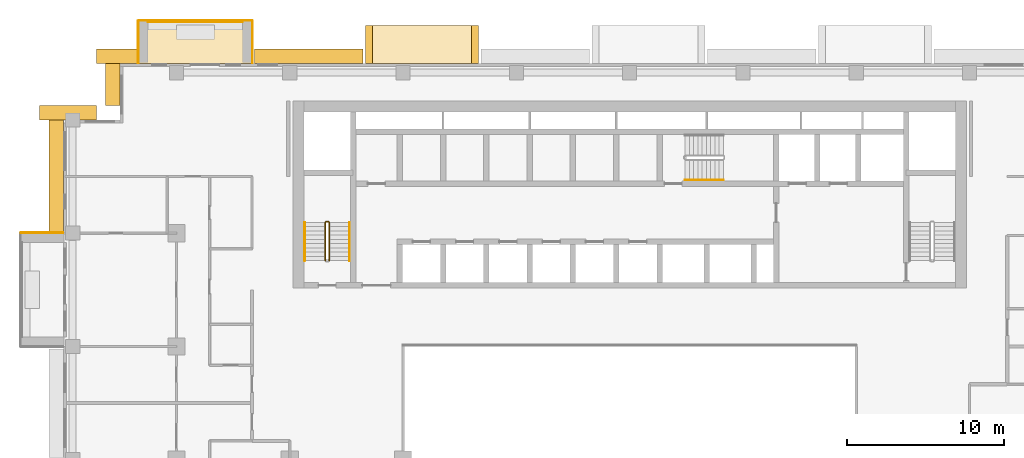
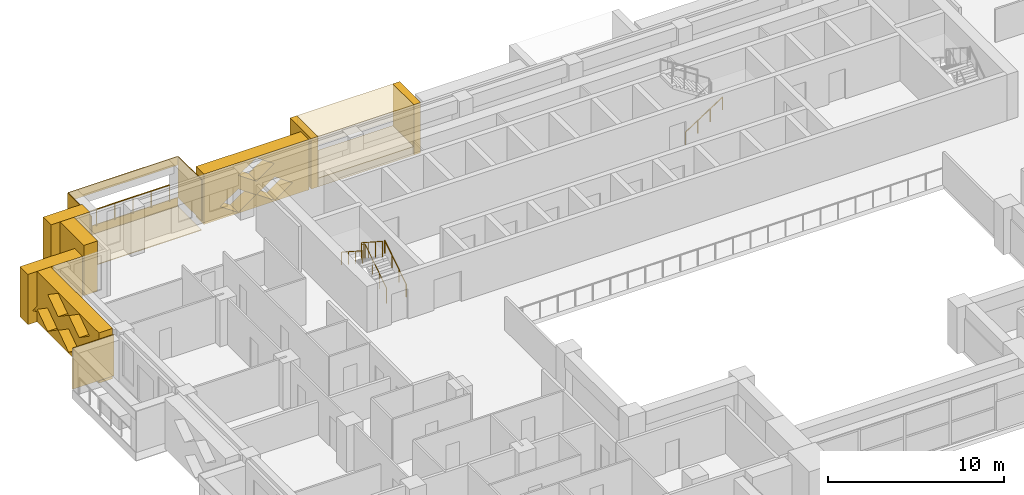
# One storey, part 18 of 20: 15 coverings, 5 railings.
"""IFC4 building model written with IfcOpenShell, lengths in metres."""

from ifc_helpers import new_model, si_unit, direction, frame, origin, origin_2d, place, context, subcontext, project, spatial, polyline, circle, outline, extrude, material, layer, layer_set, type_object, element, save


model = new_model("IFC4")

# Units and contexts
model_context = context("Model", 3, precision=1e-05, world=origin(), true_north=direction((0.0, 1.0)))
body_context = subcontext(model_context, "Body", "Model", "MODEL_VIEW")
ifc_project = project(units=[si_unit("LENGTHUNIT", "METRE"), si_unit("AREAUNIT", "SQUARE_METRE"), si_unit("VOLUMEUNIT", "CUBIC_METRE"), si_unit("PLANEANGLEUNIT", "RADIAN"), si_unit("MASSUNIT", "GRAM", prefix="KILO")], contexts=[model_context])

# Site, building, storey
site_placement = place(None, origin())
site = spatial("IfcSite", under=ifc_project, at=site_placement, CompositionType="ELEMENT")
building_placement = place(site_placement, origin())
building = spatial("IfcBuilding", under=site, at=building_placement, Name="Saffron Iwan Residences", CompositionType="ELEMENT")
storey_placement = place(building_placement, frame((0.0, 0.0, 130.5)))
storey = spatial("IfcBuildingStorey", under=building, at=storey_placement, Name="L34", CompositionType="ELEMENT", Elevation=130.5)

# Railing
ifc_material_1 = material(Name="Stainless steel 316", Category="steel")
railing_type_1 = type_object("IfcRailingType", Name="BALCONY GUARD 1150", PredefinedType="GUARDRAIL", material=ifc_material_1)
railing_1_placement = place(storey_placement, frame((25.800048828125, 83.02490234375, 0.0)))
element("IfcRailing", 1, at=railing_1_placement, inside=storey, type_object=railing_type_1, Name="Balcony guard L34 F5-3", PredefinedType="GUARDRAIL", context=body_context, shape_type="SweptSolid", body=[
    extrude(circle(Radius=0.02392578125, at=origin_2d()), frame((0.0, 0.0, 1.1259765625), z_axis=(-1.0, 0.0, 0.0), x_axis=(0.0, -1.0, 0.0)), (0.0, 0.0, 1.0), 6.0),
    extrude(circle(Radius=0.02099609375, at=origin_2d()), origin(), (0.0, 0.0, 1.0), 1.101806640625),
    extrude(circle(Radius=0.02099609375, at=origin_2d()), frame((-1.199951171875, 0.0, 0.0)), (0.0, 0.0, 1.0), 1.101806640625),
    extrude(circle(Radius=0.02099609375, at=origin_2d()), frame((-2.39990234375, 0.0, 0.0)), (0.0, 0.0, 1.0), 1.101806640625),
    extrude(circle(Radius=0.02099609375, at=origin_2d()), frame((-3.60009765625, 0.0, 0.0)), (0.0, 0.0, 1.0), 1.101806640625),
    extrude(circle(Radius=0.02099609375, at=origin_2d()), frame((-4.800048828125, 0.0, 0.0)), (0.0, 0.0, 1.0), 1.101806640625),
    extrude(circle(Radius=0.02099609375, at=origin_2d()), frame((-6.0, 0.0, 0.0)), (0.0, 0.0, 1.0), 1.101806640625),
])

# Coverings
ifc_material_2 = material(Name="Precast concrete C40/50 white painted", Category="concrete")
ifc_layer = layer(ifc_material_2, 0.050048828125)
ifc_layer_set = layer_set([ifc_layer], Name="Precast concrete C40/50 white painted")
covering_type_1 = type_object("IfcCoveringType", Name="FRAME SKIN PRECAST WHITE 50", PredefinedType="CLADDING", material=ifc_layer_set)
for number, where, name in (
    (2, (0.0, 0.0, -0.60009765625), "Frame skin slab edge L34 F5-3"),
    (3, (0.0, 0.0, 2.25), "Frame skin fascia L34 F5-3"),
):
    element("IfcCovering", number, at=place(storey_placement, frame(where)), inside=storey, type_object=covering_type_1, Name=name, PredefinedType="CLADDING", context=body_context, shape_type="SweptSolid", body=[
        extrude(outline(polyline([(26.39990234375, 83.14990234375), (19.199951171875, 83.14990234375), (19.199951171875, 83.10009765625), (26.39990234375, 83.10009765625), (26.39990234375, 83.14990234375)])), origin(), (0.0, 0.0, 1.0), 0.60009765625),
    ])
covering_1_placement = place(storey_placement, frame((0.0, 0.0, -0.64990234375)))
element("IfcCovering", 4, at=covering_1_placement, inside=storey, type_object=covering_type_1, Name="Frame skin soffit L34 F5-3", PredefinedType="CLADDING", context=body_context, shape_type="SweptSolid", body=[
    extrude(outline(polyline([(26.39990234375, 83.10009765625), (19.199951171875, 83.10009765625), (19.199951171875, 80.39990234375), (26.39990234375, 80.39990234375), (26.39990234375, 83.10009765625)])), origin(), (0.0, 0.0, 1.0), 0.0498046875),
])
covering_2_placement = place(storey_placement, origin())
element("IfcCovering", 5, at=covering_2_placement, inside=storey, type_object=covering_type_1, Name="Frame skin fin L34 F5-3a", PredefinedType="CLADDING", context=body_context, shape_type="SweptSolid", body=[
    extrude(outline(polyline([(26.449951171875, 83.10009765625), (26.39990234375, 83.10009765625), (26.39990234375, 80.39990234375), (26.449951171875, 80.39990234375), (26.449951171875, 83.10009765625)])), origin(), (0.0, 0.0, 1.0), 2.85009765625),
])
covering_3_placement = place(storey_placement, origin())
element("IfcCovering", 6, at=covering_3_placement, inside=storey, type_object=covering_type_1, Name="Frame skin fin L34 F5-3b", PredefinedType="CLADDING", context=body_context, shape_type="SweptSolid", body=[
    extrude(outline(polyline([(19.199951171875, 83.10009765625), (19.14990234375, 83.10009765625), (19.14990234375, 80.39990234375), (19.199951171875, 80.39990234375), (19.199951171875, 83.10009765625)])), origin(), (0.0, 0.0, 1.0), 2.85009765625),
])
covering_4_placement = place(storey_placement, origin())
element("IfcCovering", 7, at=covering_4_placement, inside=storey, type_object=covering_type_1, Name="Frame skin fin L34 F8-0a", PredefinedType="CLADDING", context=body_context, shape_type="SweptSolid", body=[
    extrude(outline(polyline([(11.699951171875, 69.64990234375), (11.699951171875, 69.60009765625), (14.39990234375, 69.60009765625), (14.39990234375, 69.64990234375), (11.699951171875, 69.64990234375)])), origin(), (0.0, 0.0, 1.0), 2.85009765625),
])
ifc_material_3 = material(Name="Precast concrete C40/50", Category="concrete")
covering_type_2 = type_object("IfcCoveringType", Name="OUTER SKIN LATTICE SCREEN", PredefinedType="CLADDING", material=ifc_material_3)
covering_5_placement = place(storey_placement, frame((33.449951171875, 80.39990234375, -0.300048828125), z_axis=(0.0, 1.0, 0.0), x_axis=(-1.0, 0.0, 0.0)))
element("IfcCovering", 8, at=covering_5_placement, inside=storey, type_object=covering_type_2, Name="OUTER SKIN lattice screen L34 F5.3", PredefinedType="CLADDING", context=body_context, shape_type="SweptSolid", body=[
    extrude(outline(polyline([(0.0, 0.0), (6.89990234375, 0.0), (6.89990234375, 3.5), (0.0, 3.5), (0.0, 0.0)]), holes=[polyline([(1.070068359375, 0.875), (2.25, 0.06005859375), (3.429931640625, 0.875), (2.25, 1.68994140625), (1.070068359375, 0.875)]), polyline([(3.469970703125, 0.875), (4.64990234375, 0.06005859375), (5.830078125, 0.875), (4.64990234375, 1.68994140625), (3.469970703125, 0.875)]), polyline([(2.27001953125, 2.625), (3.449951171875, 1.81005859375), (4.6298828125, 2.625), (3.449951171875, 3.43994140625), (2.27001953125, 2.625)])]), origin(), (0.0, 0.0, 1.0), 0.900146484375),
])
covering_6_placement = place(storey_placement, frame((19.050048828125, 80.39990234375, -0.300048828125), z_axis=(0.0, 1.0, 0.0), x_axis=(-1.0, 0.0, 0.0)))
element("IfcCovering", 9, at=covering_6_placement, inside=storey, type_object=covering_type_2, Name="OUTER SKIN lattice screen L34 F5.4", PredefinedType="CLADDING", context=body_context, shape_type="SweptSolid", body=[
    extrude(outline(polyline([(0.0, 0.0), (2.550048828125, 0.0), (2.550048828125, 3.5), (0.0, 3.5), (0.0, 0.0)])), origin(), (0.0, 0.0, 1.0), 0.900146484375),
])
for number, where, z_axis, x_axis, name in (
    (10, (18.0, 81.300048828125, -0.300048828125), (-1.0, 0.0, 0.0), (0.0, -1.0, 0.0), "OUTER SKIN lattice screen L34 F6.0"),
    (11, (16.5, 76.800048828125, -0.300048828125), (0.0, 1.0, 0.0), (-1.0, 0.0, 0.0), "OUTER SKIN lattice screen L34 F7.0"),
):
    element("IfcCovering", number, at=place(storey_placement, frame(where, z_axis=z_axis, x_axis=x_axis)), inside=storey, type_object=covering_type_2, Name=name, PredefinedType="CLADDING", context=body_context, shape_type="SweptSolid", body=[
        extrude(outline(polyline([(0.0, 0.0), (3.60009765625, 0.0), (3.60009765625, 3.5), (0.0, 3.5), (0.0, 0.0)]), holes=[polyline([(0.919921875, 0.875), (2.10009765625, 0.06005859375), (3.280029296875, 0.875), (2.10009765625, 1.68994140625), (0.919921875, 0.875)])]), origin(), (0.0, 0.0, 1.0), 0.89990234375),
    ])
covering_7_placement = place(storey_placement, frame((14.39990234375, 77.699951171875, -0.300048828125), z_axis=(-1.0, 0.0, 0.0), x_axis=(0.0, -1.0, 0.0)))
element("IfcCovering", 12, at=covering_7_placement, inside=storey, type_object=covering_type_2, Name="OUTER SKIN lattice screen L34 F8.0", PredefinedType="CLADDING", context=body_context, shape_type="SweptSolid", body=[
    extrude(outline(polyline([(0.0, 0.0), (7.949951171875, 0.0), (7.949951171875, 3.5), (0.0, 3.5), (0.0, 0.0)]), holes=[polyline([(0.919921875, 0.875), (2.10009765625, 0.06005859375), (3.280029296875, 0.875), (2.10009765625, 1.68994140625), (0.919921875, 0.875)]), polyline([(3.320068359375, 0.875), (4.5, 0.06005859375), (5.679931640625, 0.875), (4.5, 1.68994140625), (3.320068359375, 0.875)]), polyline([(2.1201171875, 2.625), (3.300048828125, 1.81005859375), (4.47998046875, 2.625), (3.300048828125, 3.43994140625), (2.1201171875, 2.625)]), polyline([(4.52001953125, 2.625), (5.699951171875, 1.81005859375), (6.8798828125, 2.625), (5.699951171875, 3.43994140625), (4.52001953125, 2.625)])]), origin(), (0.0, 0.0, 1.0), 0.89990234375),
])

# Railings
ifc_material_4 = material(Name="Steel S355", Category="steel")
railing_type_2 = type_object("IfcRailingType", Name="Stair guard 1100", PredefinedType="GUARDRAIL", material=ifc_material_4)
railing_2_placement = place(storey_placement, frame((31.300048828125, 67.85009765625, 0.175048828125)))
element("IfcRailing", 13, at=railing_2_placement, inside=storey, type_object=railing_type_2, Name="L34 ST-W stair guard 1", PredefinedType="GUARDRAIL", context=body_context, shape_type="SweptSolid", body=[
    extrude(circle(Radius=0.02392578125, at=origin_2d()), frame((0.0, 0.0, 1.076171875), z_axis=(0.0, 0.839153699163, 0.543894354798), x_axis=(-1.0, 0.0, 0.0)), (0.0, 0.0, 1.0), 2.895751953125),
    extrude(circle(Radius=0.02392578125, at=origin_2d()), frame((0.0, 2.429931640625, 2.65087890625), z_axis=(-0.707106781187, 0.707106781187, 0.0), x_axis=(-0.707106781187, -0.707106781187, 0.0)), (0.0, 0.0, 1.0), 0.07080078125),
    extrude(circle(Radius=0.02392578125, at=origin_2d()), frame((-0.050048828125, 2.47998046875, 2.65087890625), z_axis=(-1.0, 0.0, 0.0), x_axis=(0.0, -1.0, 0.0)), (0.0, 0.0, 1.0), 0.14990234375),
    extrude(circle(Radius=0.02392578125, at=origin_2d()), frame((-0.199951171875, 2.47998046875, 2.65087890625), z_axis=(-0.265065253269, -0.265065253269, 0.927081885822), x_axis=(0.707106781187, -0.707106781187, 0.0)), (0.0, 0.0, 1.0), 0.188720703125),
    extrude(circle(Radius=0.02392578125, at=origin_2d()), frame((-0.25, 2.429931640625, 2.826171875), z_axis=(0.0, -0.839153699163, 0.543894354798), x_axis=(1.0, 0.0, 0.0)), (0.0, 0.0, 1.0), 2.895751953125),
    extrude(circle(Radius=0.02099609375, at=origin_2d()), origin(), (0.0, 0.0, 1.0), 1.052001953125),
    extrude(circle(Radius=0.02099609375, at=origin_2d()), frame((0.0, 0.81005859375, 0.52490234375)), (0.0, 0.0, 1.0), 1.052001953125),
    extrude(circle(Radius=0.02099609375, at=origin_2d()), frame((0.0, 1.619873046875, 1.050048828125)), (0.0, 0.0, 1.0), 1.052001953125),
    extrude(circle(Radius=0.02099609375, at=origin_2d()), frame((0.0, 2.429931640625, 1.574951171875)), (0.0, 0.0, 1.0), 1.052001953125),
    extrude(circle(Radius=0.02099609375, at=origin_2d()), frame((-0.050048828125, 2.47998046875, 1.574951171875)), (0.0, 0.0, 1.0), 1.052001953125),
    extrude(circle(Radius=0.02099609375, at=origin_2d()), frame((-0.199951171875, 2.47998046875, 1.574951171875)), (0.0, 0.0, 1.0), 1.052001953125),
    extrude(circle(Radius=0.02099609375, at=origin_2d()), frame((-0.25, 2.429931640625, 1.75)), (0.0, 0.0, 1.0), 1.052001953125),
    extrude(circle(Radius=0.02099609375, at=origin_2d()), frame((-0.25, 1.619873046875, 2.27490234375)), (0.0, 0.0, 1.0), 1.052001953125),
    extrude(circle(Radius=0.02099609375, at=origin_2d()), frame((-0.25, 0.81005859375, 2.800048828125)), (0.0, 0.0, 1.0), 1.052001953125),
    extrude(circle(Radius=0.02099609375, at=origin_2d()), frame((-0.25, 0.0, 3.324951171875)), (0.0, 0.0, 1.0), 1.052001953125),
])
railing_type_3 = type_object("IfcRailingType", Name="Stair handrail 900", PredefinedType="HANDRAIL", material=ifc_material_1)
railing_3_placement = place(storey_placement, frame((32.60009765625, 67.85009765625, 0.175048828125)))
element("IfcRailing", 14, at=railing_3_placement, inside=storey, type_object=railing_type_3, Name="L34 ST-W stair handrail 1", PredefinedType="HANDRAIL", context=body_context, shape_type="SweptSolid", body=[
    extrude(circle(Radius=0.02392578125, at=origin_2d()), frame((0.0, 0.0, 0.8759765625), z_axis=(0.0, 0.839153699163, 0.543894354798), x_axis=(-1.0, 0.0, 0.0)), (0.0, 0.0, 1.0), 2.895751953125),
    extrude(circle(Radius=0.02099609375, at=origin_2d()), origin(), (0.0, 0.0, 1.0), 0.851806640625),
    extrude(circle(Radius=0.02099609375, at=origin_2d()), frame((0.0, 0.81005859375, 0.52490234375)), (0.0, 0.0, 1.0), 0.851806640625),
    extrude(circle(Radius=0.02099609375, at=origin_2d()), frame((0.0, 1.619873046875, 1.050048828125)), (0.0, 0.0, 1.0), 0.851806640625),
    extrude(circle(Radius=0.02099609375, at=origin_2d()), frame((0.0, 2.429931640625, 1.574951171875)), (0.0, 0.0, 1.0), 0.851806640625),
])
railing_4_placement = place(storey_placement, frame((29.75, 70.280029296875, 1.925048828125)))
element("IfcRailing", 15, at=railing_4_placement, inside=storey, type_object=railing_type_3, Name="L34 ST-W stair handrail 2", PredefinedType="HANDRAIL", context=body_context, shape_type="SweptSolid", body=[
    extrude(circle(Radius=0.02392578125, at=origin_2d()), frame((0.0, 0.0, 0.8759765625), z_axis=(0.0, -0.839153699163, 0.543894354798), x_axis=(1.0, 0.0, 0.0)), (0.0, 0.0, 1.0), 2.895751953125),
    extrude(circle(Radius=0.02099609375, at=origin_2d()), origin(), (0.0, 0.0, 1.0), 0.851806640625),
    extrude(circle(Radius=0.02099609375, at=origin_2d()), frame((0.0, -0.81005859375, 0.52490234375)), (0.0, 0.0, 1.0), 0.851806640625),
    extrude(circle(Radius=0.02099609375, at=origin_2d()), frame((0.0, -1.619873046875, 1.050048828125)), (0.0, 0.0, 1.0), 0.851806640625),
    extrude(circle(Radius=0.02099609375, at=origin_2d()), frame((0.0, -2.429931640625, 1.574951171875)), (0.0, 0.0, 1.0), 0.851806640625),
])
railing_5_placement = place(storey_placement, frame((53.925048828125, 72.97509765625, 0.175048828125)))
element("IfcRailing", 16, at=railing_5_placement, inside=storey, type_object=railing_type_3, Name="L34 ST-C stair handrail 1", PredefinedType="HANDRAIL", context=body_context, shape_type="SweptSolid", body=[
    extrude(circle(Radius=0.02392578125, at=origin_2d()), frame((0.0, 0.0, 0.8759765625), z_axis=(0.839153699163, 0.0, 0.543894354798), x_axis=(0.0, 1.0, 0.0)), (0.0, 0.0, 1.0), 2.895751953125),
    extrude(circle(Radius=0.02099609375, at=origin_2d()), origin(), (0.0, 0.0, 1.0), 0.851806640625),
    extrude(circle(Radius=0.02099609375, at=origin_2d()), frame((0.81005859375, 0.0, 0.52490234375)), (0.0, 0.0, 1.0), 0.851806640625),
    extrude(circle(Radius=0.02099609375, at=origin_2d()), frame((1.619873046875, 0.0, 1.050048828125)), (0.0, 0.0, 1.0), 0.851806640625),
    extrude(circle(Radius=0.02099609375, at=origin_2d()), frame((2.429931640625, 0.0, 1.574951171875)), (0.0, 0.0, 1.0), 0.851806640625),
])

# Coverings
covering_type_3 = type_object("IfcCoveringType", Name="WHITE SUN FRAME PRECAST", PredefinedType="CLADDING", material=ifc_material_2)
for number, where, z_axis, x_axis, name in (
    (17, (40.800048828125, 80.39990234375, -0.300048828125), (0.0, 1.0, 0.0), (-1.0, 0.0, 0.0), "Sun frame L34 F5 42.0a"),
    (18, (34.050048828125, 80.39990234375, -0.300048828125), (0.0, 1.0, 0.0), (-1.0, 0.0, 0.0), "Sun frame L34 F5 42.0b"),
):
    element("IfcCovering", number, at=place(storey_placement, frame(where, z_axis=z_axis, x_axis=x_axis)), inside=storey, type_object=covering_type_3, Name=name, PredefinedType="CLADDING", context=body_context, shape_type="SweptSolid", body=[
        extrude(outline(polyline([(0.0, 0.0), (0.449951171875, 0.0), (0.449951171875, 3.5), (0.0, 3.5), (0.0, 0.0)])), origin(), (0.0, 0.0, 1.0), 2.400146484375),
    ])
for number, where, z_axis, x_axis, name in (
    (19, (40.35009765625, 80.39990234375, 2.60009765625), (0.0, 1.0, 0.0), (-1.0, 0.0, 0.0), "Sun frame L34 F5 42.0h"),
    (20, (40.35009765625, 80.39990234375, -0.300048828125), (0.0, 1.0, 0.0), (-1.0, 0.0, 0.0), "Sun frame L34 F5 42.0s"),
):
    element("IfcCovering", number, at=place(storey_placement, frame(where, z_axis=z_axis, x_axis=x_axis)), inside=storey, type_object=covering_type_3, Name=name, PredefinedType="CLADDING", context=body_context, shape_type="SweptSolid", body=[
        extrude(outline(polyline([(0.0, 0.0), (6.300048828125, 0.0), (6.300048828125, 0.60009765625), (0.0, 0.60009765625), (0.0, 0.0)])), origin(), (0.0, 0.0, 1.0), 2.400146484375),
    ])

save(model, "model.ifc")
